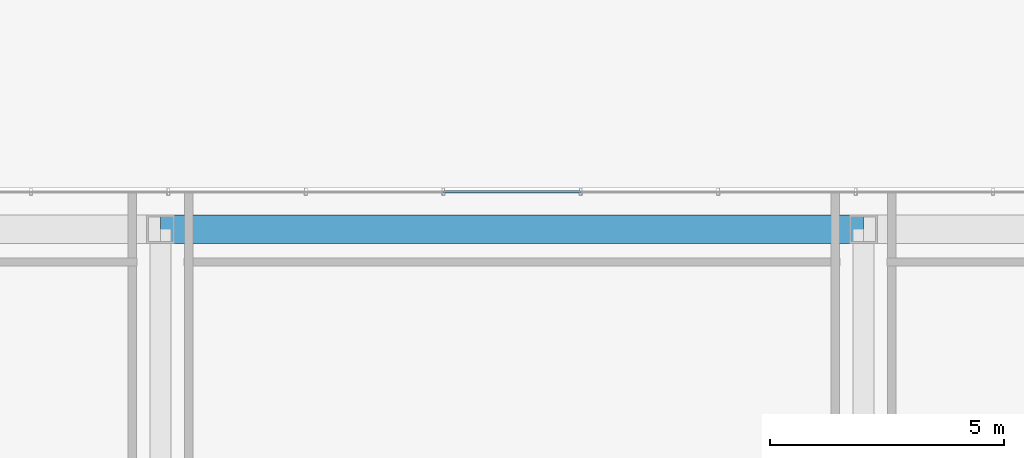
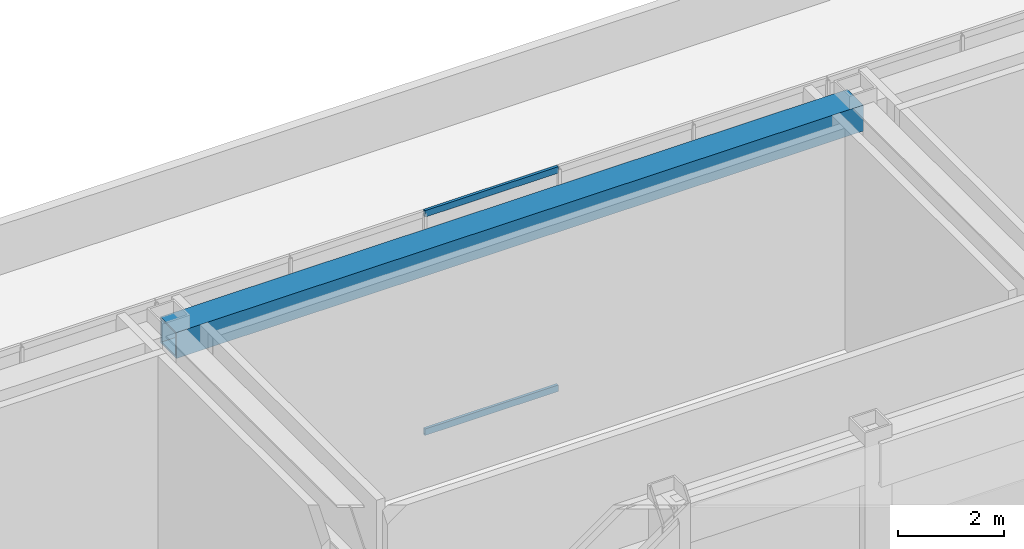
# One storey, part 4 of 11: 2 members, 1 beam, 1 element without a shape of its own.
"""IFC4 building model written with IfcOpenShell, lengths in metres."""

from ifc_helpers import new_model, si_unit, direction, frame, origin, origin_2d, place, context, subcontext, project, spatial, hollow_rectangle, extrude, material, material_profile, profile_set, type_object, element, aggregate, save


model = new_model("IFC4")

# Units and contexts
model_context = context("Model", 3, precision=1e-05, world=origin(), true_north=direction((0.0, 1.0)))
body_context = subcontext(model_context, "Body", "Model", "MODEL_VIEW")
ifc_project = project(units=[si_unit("LENGTHUNIT", "METRE"), si_unit("AREAUNIT", "SQUARE_METRE"), si_unit("VOLUMEUNIT", "CUBIC_METRE"), si_unit("PLANEANGLEUNIT", "RADIAN"), si_unit("MASSUNIT", "GRAM", prefix="KILO")], contexts=[model_context])

# Site, building, storey
site_placement = place(None, origin())
site = spatial("IfcSite", under=ifc_project, at=site_placement, CompositionType="ELEMENT")
building_placement = place(site_placement, origin())
building = spatial("IfcBuilding", under=site, at=building_placement, Name="Ventersveld Concourse Tower", CompositionType="ELEMENT")
storey_placement = place(building_placement, frame((0.0, 0.0, 366.64990234375)))
storey = spatial("IfcBuildingStorey", under=building, at=storey_placement, Name="L90", CompositionType="ELEMENT", Elevation=366.64990234375)

# Curtain wall, members
ifc_material_1 = material(Name="Anodised aluminium EN AW-6063-T6", Category="aluminium")
curtain_wall_type = type_object("IfcCurtainWallType", Name="CW-CRN-6", PredefinedType="NOTDEFINED", material=ifc_material_1)
curtain_wall_placement = place(storey_placement, origin())
curtain_wall = element("IfcCurtainWall", 1, at=curtain_wall_placement, inside=storey, type_object=curtain_wall_type, Name="L90 L90 Crown North Glazed Curtain Wall", PredefinedType="NOTDEFINED")
ifc_material_profile_1 = material_profile(ifc_material_1, hollow_rectangle(XDim=0.06005859375, YDim=0.14990234375, WallThickness=0.00390625, at=origin_2d()), Name="ALU 150x60x4")
ifc_profile_set_1 = profile_set([ifc_material_profile_1], Name="Anodised aluminium EN AW-6063-T6")
member_type = type_object("IfcMemberType", Name="CWT-150x60", PredefinedType="USERDEFINED", material=ifc_profile_set_1)
member_1_placement = place(storey_placement, frame((30.206787109375, 22.0, 0.030029296875), z_axis=(-1.0, 0.0, 0.0), x_axis=(0.0, -1.0, 0.0)))
member_1 = element("IfcMember", 2, at=member_1_placement, type_object=member_type, Name="CW-L90-N Transom 1-05", ObjectType="TRANSOM", PredefinedType="USERDEFINED", context=body_context, shape_type="SweptSolid", body=[
    extrude(hollow_rectangle(XDim=0.06005859375, YDim=0.14990234375, WallThickness=0.00390625, at=origin_2d()), origin(), (0.0, 0.0, 1.0), 2.91357421875),
])
member_2_placement = place(storey_placement, frame((30.206787109375, 22.0, 5.070068359375), z_axis=(-1.0, 0.0, 0.0), x_axis=(0.0, -1.0, 0.0)))
member_2 = element("IfcMember", 3, at=member_2_placement, type_object=member_type, Name="CW-L90-N Transom 2-05", ObjectType="TRANSOM", PredefinedType="USERDEFINED", context=body_context, shape_type="SweptSolid", body=[
    extrude(hollow_rectangle(XDim=0.06005859375, YDim=0.14990234375, WallThickness=0.00390625, at=origin_2d()), origin(), (0.0, 0.0, 1.0), 2.91357421875),
])
aggregate(curtain_wall, [member_1, member_2])

# Beam
ifc_material_2 = material(Name="Structural steel S355ML", Category="steel")
ifc_material_profile_2 = material_profile(ifc_material_2, hollow_rectangle(XDim=0.60009765625, YDim=0.60009765625, WallThickness=0.0400390625, at=origin_2d()), Name="BOX 600x600x40")
ifc_profile_set_2 = profile_set([ifc_material_profile_2], Name="Structural steel S355ML")
beam_type = type_object("IfcBeamType", Name="SPD-BOX600", PredefinedType="SPANDREL", material=ifc_profile_set_2)
beam_placement = place(storey_placement, frame((36.25, 21.199951171875, 4.800048828125), z_axis=(-1.0, 0.0, 0.0), x_axis=(0.0, -1.0, 0.0)))
element("IfcBeam", 4, at=beam_placement, inside=storey, type_object=beam_type, Name="L90 CROWN FRAME Perimeter Ring Beam 5", PredefinedType="SPANDREL", context=body_context, shape_type="SweptSolid", body=[
    extrude(hollow_rectangle(XDim=0.60009765625, YDim=0.60009765625, WallThickness=0.0400390625, at=origin_2d()), origin(), (0.0, 0.0, 1.0), 15.0),
])

save(model, "model.ifc")
